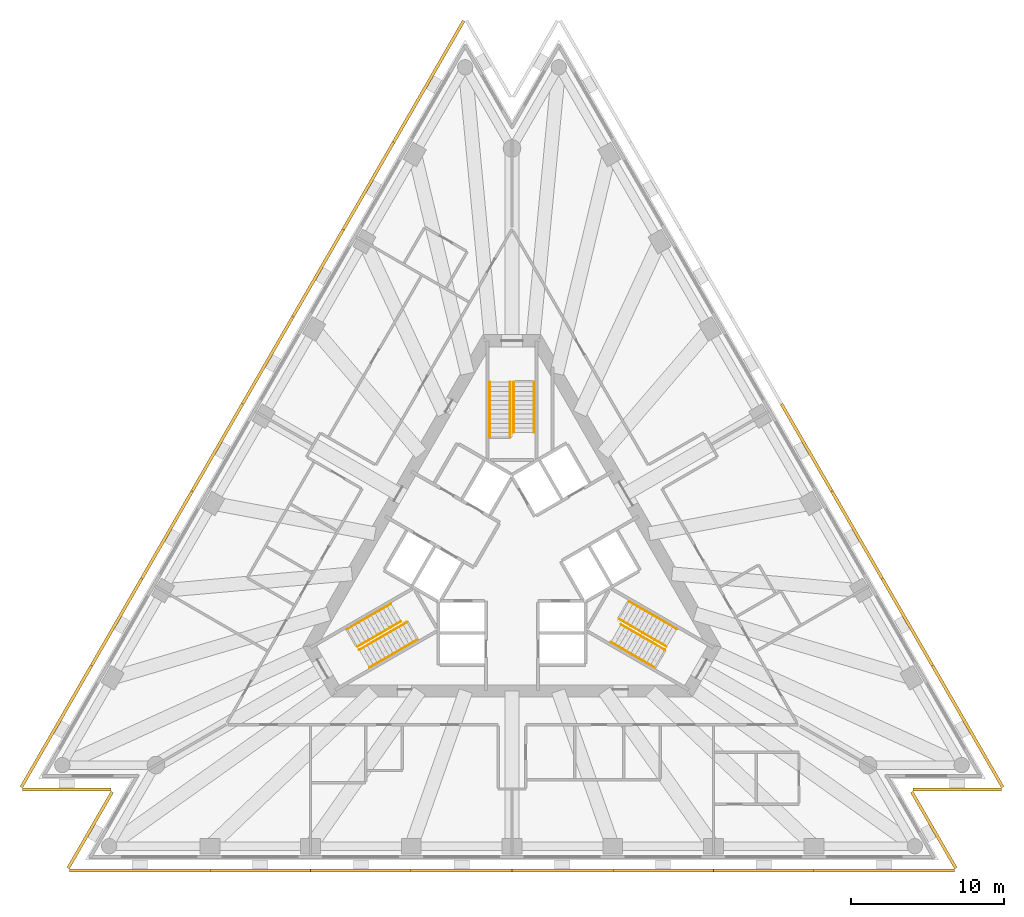
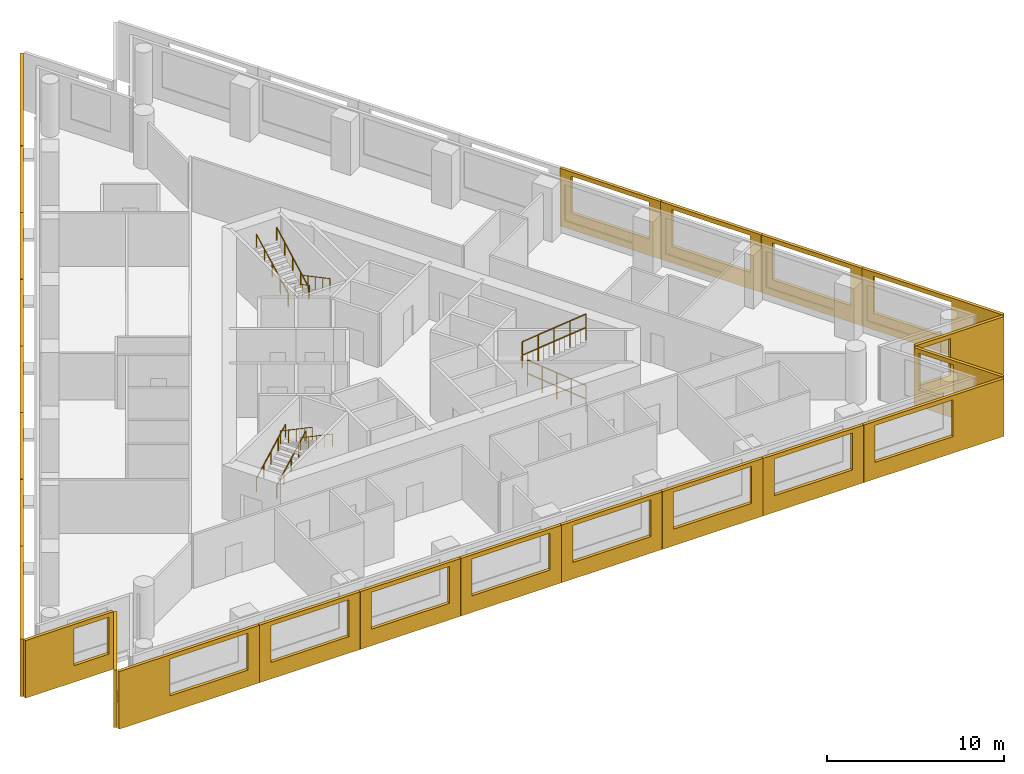
# One storey, part 9 of 10: 24 shading devices, 12 railings, 3 elements without a shape of their own.
"""IFC4 building model written with IfcOpenShell, lengths in metres."""

import ifcopenshell
import ifcopenshell.guid

model = None  # the IFC model being written
_history = None  # IfcOwnerHistory: only IFC2X3 demands one
_inside = {}  # id of a spatial element -> (the spatial element, [elements in it])
_under = {}  # id of a project, library or spatial element -> (it, [spatial elements below it])
_declared = {}  # id of a project -> (the project, [libraries it declares])
_typed = {}  # id of a type object -> (the type object, [elements of that type])
_made_of = {}  # id of a material, layer set ... -> (it, [elements and type objects made of it])


def new_model(schema):
    """Start an empty IFC model of exactly this schema.

    Asked for "IFC4X3", IfcOpenShell would pick the latest addendum, in which some entities
    have other attributes; the version numbers below select the first issue.
    IFC2X3 requires an IfcOwnerHistory on every rooted entity: one is made here for all.
    """
    global model, _history
    if schema == "IFC4X3":
        model = ifcopenshell.file(schema_version=(4, 3, 0, 0))
    else:
        model = ifcopenshell.file(schema=schema)
    _inside.clear()
    _under.clear()
    _declared.clear()
    _typed.clear()
    _made_of.clear()
    _history = None
    if model.schema == "IFC2X3":
        org = make("IfcOrganization", Name="unknown")
        user = make(
            "IfcPersonAndOrganization",
            ThePerson=make("IfcPerson", FamilyName="unknown"),
            TheOrganization=org,
        )
        app = make(
            "IfcApplication",
            ApplicationDeveloper=org,
            Version="unknown",
            ApplicationFullName="unknown",
            ApplicationIdentifier="unknown",
        )
        _history = make(
            "IfcOwnerHistory",
            OwningUser=user,
            OwningApplication=app,
            ChangeAction="ADDED",
            CreationDate=0,
        )
    return model


def make(cls, **values):
    """One entity of the class cls with the attributes given. An attribute that is None is left unset."""
    return model.create_entity(
        cls, **{name: value for name, value in values.items() if value is not None}
    )


def rooted(cls, **values):
    """An entity with a GlobalId (a new one), such as an element, a storey or a relation."""
    return make(cls, GlobalId=ifcopenshell.guid.new(), OwnerHistory=_history, **values)


def si_unit(unit_type, name, prefix=None):
    """IfcSIUnit, for example si_unit("LENGTHUNIT", "METRE", prefix="MILLI")."""
    return make("IfcSIUnit", UnitType=unit_type, Prefix=prefix, Name=name)


def assignment(units):
    """IfcUnitAssignment: the units of a project."""
    return None if units is None else make("IfcUnitAssignment", Units=units)


def point(xyz):
    """IfcCartesianPoint."""
    return None if xyz is None else make("IfcCartesianPoint", Coordinates=xyz)


def direction(xyz):
    """IfcDirection."""
    return None if xyz is None else make("IfcDirection", DirectionRatios=xyz)


def frame(location, z_axis=None, x_axis=None):
    """IfcAxis2Placement3D, a coordinate frame: its origin and axes. An axis left out is left unset."""
    return make(
        "IfcAxis2Placement3D",
        Location=point(location),
        Axis=direction(z_axis),
        RefDirection=direction(x_axis),
    )


def frame_2d(location, x_axis=None):
    """IfcAxis2Placement2D, a coordinate frame in the plane: its origin and x axis."""
    return make(
        "IfcAxis2Placement2D", Location=point(location), RefDirection=direction(x_axis)
    )


def origin():
    """The frame at (0, 0, 0) with its axes left unset."""
    return frame((0.0, 0.0, 0.0))


def origin_2d():
    """The frame at (0, 0) in the plane with its x axis left unset."""
    return frame_2d((0.0, 0.0))


def place(relative_to, where):
    """IfcLocalPlacement: puts the frame where relative to a parent placement (None: the world)."""
    return make(
        "IfcLocalPlacement", PlacementRelTo=relative_to, RelativePlacement=where
    )


def context(
    kind, dimensions, precision=None, world=None, true_north=None, identifier=None
):
    """IfcGeometricRepresentationContext, for example the 3D "Model" context."""
    return make(
        "IfcGeometricRepresentationContext",
        ContextIdentifier=identifier,
        ContextType=kind,
        CoordinateSpaceDimension=dimensions,
        Precision=precision,
        WorldCoordinateSystem=world,
        TrueNorth=true_north,
    )


def subcontext(parent, identifier, kind, view, scale=None):
    """IfcGeometricRepresentationSubContext, for example "Body" below "Model"."""
    return make(
        "IfcGeometricRepresentationSubContext",
        ContextIdentifier=identifier,
        ContextType=kind,
        ParentContext=parent,
        TargetScale=scale,
        TargetView=view,
    )


def project(units=None, contexts=None):
    """IfcProject with its units and contexts."""
    return rooted(
        "IfcProject",
        Name="project",
        RepresentationContexts=contexts,
        UnitsInContext=assignment(units),
    )


def spatial(cls, under=None, at=None, **own):
    """A site, building, storey or space (cls), placed at a placement, below another one or the project."""
    s = rooted(cls, ObjectPlacement=at, **own)
    if under is not None:
        _under.setdefault(under.id(), (under, []))[1].append(s)
    return s


def polyline(points):
    """IfcPolyline through the points."""
    return make("IfcPolyline", Points=[point(p) for p in points])


def profile(cls, at=None, kind="AREA", **sizes):
    """A parametric profile (cls). Its sizes go by their IFC names, for example OverallWidth=200.0."""
    return make(cls, ProfileType=kind, Position=at, **sizes)


def circle(**sizes):
    """IfcCircleProfileDef."""
    return profile("IfcCircleProfileDef", **sizes)


def outline(outer, holes=None, kind="AREA"):
    """IfcArbitraryClosedProfileDef: a profile drawn as a closed curve; with holes, ...WithVoids."""
    if holes is None:
        return make("IfcArbitraryClosedProfileDef", ProfileType=kind, OuterCurve=outer)
    return make(
        "IfcArbitraryProfileDefWithVoids",
        ProfileType=kind,
        OuterCurve=outer,
        InnerCurves=holes,
    )


def extrude(swept, where, along, depth):
    """IfcExtrudedAreaSolid: the profile swept, set in the frame where, extruded along a direction by depth."""
    return make(
        "IfcExtrudedAreaSolid",
        SweptArea=swept,
        Position=where,
        ExtrudedDirection=direction(along),
        Depth=depth,
    )


def shape(context_of_items, identifier, shape_type, items):
    """IfcShapeRepresentation: the items that make up one representation, for example the "Body"."""
    return make(
        "IfcShapeRepresentation",
        ContextOfItems=context_of_items,
        RepresentationIdentifier=identifier,
        RepresentationType=shape_type,
        Items=items,
    )


def material(Name=None, Category=None):
    """IfcMaterial."""
    return make("IfcMaterial", Name=Name, Category=Category)


def layer(
    of_material, thickness, ventilated=None, Name=None, Category=None, Priority=None
):
    """IfcMaterialLayer: one layer of a wall or slab, of a material (None: an air gap)."""
    return make(
        "IfcMaterialLayer",
        Material=of_material,
        LayerThickness=thickness,
        IsVentilated=ventilated,
        Name=Name,
        Category=Category,
        Priority=Priority,
    )


def layer_set(layers, Name=None):
    """IfcMaterialLayerSet."""
    return make("IfcMaterialLayerSet", MaterialLayers=layers, LayerSetName=Name)


def made_of(thing, what):
    """Note that an element or type object is made of a material, layer set ...; save() writes the relation."""
    if what is not None:
        _made_of.setdefault(what.id(), (what, []))[1].append(thing)
    return thing


def type_object(cls, material=None, **own):
    """A type object (cls), such as IfcWallType, which elements share."""
    return made_of(rooted(cls, **own), material)


def element(
    cls,
    number,
    at=None,
    inside=None,
    cuts=None,
    type_object=None,
    material=None,
    context=None,
    identifier="Body",
    shape_type=None,
    held_by="IfcProductDefinitionShape",
    body=None,
    shapes=None,
    **own,
):
    """One element of the class cls, such as IfcWall. Its Tag is "e" and its number.

    at: its placement. inside: the storey or other place that contains it. cuts: it is an
    opening in that element (IfcRelVoidsElement). A single representation is given by context,
    identifier, shape_type and body (its items); several are given by shapes. held_by: the class
    of the entity that holds the representations. save() writes the other relations.
    """
    e = rooted(cls, Tag="e%d" % number, ObjectPlacement=at, **own)
    if body is not None:
        shapes = [shape(context, identifier, shape_type, body)]
    if shapes is not None:
        e.Representation = make(held_by, Representations=shapes)
    if inside is not None:
        _inside.setdefault(inside.id(), (inside, []))[1].append(e)
    if cuts is not None:
        rooted(
            "IfcRelVoidsElement", RelatingBuildingElement=cuts, RelatedOpeningElement=e
        )
    if type_object is not None:
        _typed.setdefault(type_object.id(), (type_object, []))[1].append(e)
    return made_of(e, material)


def aggregate(whole, parts):
    """IfcRelAggregates: a whole, such as a stair, and the parts it consists of."""
    return rooted("IfcRelAggregates", RelatingObject=whole, RelatedObjects=parts)


def save(model, path):
    """Write the relations noted so far, then the file.

    IfcRelAggregates (storeys below a building ...), IfcRelContainedInSpatialStructure (elements
    in a storey), IfcRelDefinesByType, IfcRelAssociatesMaterial and IfcRelDeclares: one each for
    every whole, place, type object, material and project.
    """
    for whole, parts in _under.values():
        aggregate(whole, parts)
    for where, things in _inside.values():
        rooted(
            "IfcRelContainedInSpatialStructure",
            RelatedElements=things,
            RelatingStructure=where,
        )
    for kind, things in _typed.values():
        rooted("IfcRelDefinesByType", RelatedObjects=things, RelatingType=kind)
    for what, things in _made_of.values():
        rooted("IfcRelAssociatesMaterial", RelatedObjects=things, RelatingMaterial=what)
    for by, libraries in _declared.values():
        rooted("IfcRelDeclares", RelatingContext=by, RelatedDefinitions=libraries)
    model.write(path)


model = new_model("IFC4")

# Units and contexts
model_context = context("Model", 3, precision=1e-05, world=origin(), true_north=direction((0.0, 1.0)))
body_context = subcontext(model_context, "Body", "Model", "MODEL_VIEW")
ifc_project = project(units=[si_unit("LENGTHUNIT", "METRE"), si_unit("AREAUNIT", "SQUARE_METRE"), si_unit("VOLUMEUNIT", "CUBIC_METRE"), si_unit("PLANEANGLEUNIT", "RADIAN"), si_unit("MASSUNIT", "GRAM", prefix="KILO")], contexts=[model_context])

# Site, building, storey
site_placement = place(None, origin())
site = spatial("IfcSite", under=ifc_project, at=site_placement, CompositionType="ELEMENT")
building_placement = place(site_placement, origin())
building = spatial("IfcBuilding", under=site, at=building_placement, Name="Triada Interchange Tower", CompositionType="ELEMENT")
storey_placement = place(building_placement, frame((0.0, 0.0, 160.300048828125)))
storey = spatial("IfcBuildingStorey", under=building, at=storey_placement, Name="L37", CompositionType="ELEMENT", Elevation=160.300048828125)

# Shading devices
ifc_material_1 = material(Name="Concrete C50/60 precast", Category="concrete")
ifc_layer_1 = layer(ifc_material_1, 0.02001953125, Name="Exposed aggregate face")
ifc_layer_2 = layer(ifc_material_1, 0.179931640625, Name="Precast concrete screen")
ifc_layer_set = layer_set([ifc_layer_1, ifc_layer_2], Name="Outer skin screen panel 3980")
shading_device_type = type_object("IfcShadingDeviceType", Name="Outer skin screen panel 3980", PredefinedType="SHUTTER", material=ifc_layer_set)
shading_device_1_placement = place(storey_placement, frame((-3.068115234375, 35.178955078125, -0.2900390625), z_axis=(0.0, 0.0, 1.0), x_axis=(-0.499993049377, -0.866029416691, 0.0)))
element("IfcShadingDevice", 1, at=shading_device_1_placement, inside=storey, type_object=shading_device_type, Name="Outer skin screen panel L37 01", PredefinedType="SHUTTER", context=body_context, shape_type="SweptSolid", body=[
    extrude(outline(polyline([(0.0, 0.0), (9.163818359375, 0.0), (9.163818359375, 3.97998046875), (0.0, 3.97998046875), (0.0, 0.0)]), holes=[polyline([(3.33056640625, 1.139892578125), (3.33056640625, 3.68994140625), (8.4306640625, 3.68994140625), (8.4306640625, 1.139892578125), (3.33056640625, 1.139892578125)])]), frame((0.0, 0.0, 0.0), z_axis=(0.0, -1.0, 0.0), x_axis=(1.0, 0.0, 0.0)), (0.0, 0.0, 1.0), 0.199951171875),
])
shading_device_2_placement = place(storey_placement, frame((-7.659912109375, 27.22607421875, -0.2900390625), z_axis=(0.0, 0.0, 1.0), x_axis=(-0.499977771575, -0.866038236991, 0.0)))
element("IfcShadingDevice", 2, at=shading_device_2_placement, inside=storey, type_object=shading_device_type, Name="Outer skin screen panel L37 02", PredefinedType="SHUTTER", context=body_context, shape_type="SweptSolid", body=[
    extrude(outline(polyline([(0.0, 0.0), (6.566650390625, 0.0), (6.566650390625, 3.97998046875), (0.0, 3.97998046875), (0.0, 0.0)]), holes=[polyline([(0.732421875, 1.139892578125), (0.732421875, 3.68994140625), (5.83251953125, 3.68994140625), (5.83251953125, 1.139892578125), (0.732421875, 1.139892578125)])]), frame((0.0, 0.0, 0.0), z_axis=(0.0, -1.0, 0.0), x_axis=(1.0, 0.0, 0.0)), (0.0, 0.0, 1.0), 0.199951171875),
])
shading_device_3_placement = place(storey_placement, frame((-10.952880859375, 21.52197265625, -0.2900390625), z_axis=(0.0, 0.0, 1.0), x_axis=(-0.499977771575, -0.866038236991, 0.0)))
element("IfcShadingDevice", 3, at=shading_device_3_placement, inside=storey, type_object=shading_device_type, Name="Outer skin screen panel L37 03", PredefinedType="SHUTTER", context=body_context, shape_type="SweptSolid", body=[
    extrude(outline(polyline([(0.0, 0.0), (6.566650390625, 0.0), (6.566650390625, 3.97998046875), (0.0, 3.97998046875), (0.0, 0.0)]), holes=[polyline([(0.7333984375, 1.139892578125), (0.7333984375, 3.68994140625), (5.83349609375, 3.68994140625), (5.83349609375, 1.139892578125), (0.7333984375, 1.139892578125)])]), frame((0.0, 0.0, 0.0), z_axis=(0.0, -1.0, 0.0), x_axis=(1.0, 0.0, 0.0)), (0.0, 0.0, 1.0), 0.199951171875),
])
for number, where, z_axis, x_axis, name in (
    (4, (-14.24609375, 15.818115234375, -0.2900390625), (0.0, 0.0, 1.0), (-0.500014285048, -0.866017156151, 0.0), "Outer skin screen panel L37 04"),
    (5, (-17.5390625, 10.114013671875, -0.2900390625), (0.0, 0.0, 1.0), (-0.500014285048, -0.866017156151, 0.0), "Outer skin screen panel L37 05"),
):
    element("IfcShadingDevice", number, at=place(storey_placement, frame(where, z_axis=z_axis, x_axis=x_axis)), inside=storey, type_object=shading_device_type, Name=name, PredefinedType="SHUTTER", context=body_context, shape_type="SweptSolid", body=[
        extrude(outline(polyline([(0.0, 0.0), (6.565673828125, 0.0), (6.565673828125, 3.97998046875), (0.0, 3.97998046875), (0.0, 0.0)]), holes=[polyline([(0.7333984375, 1.139892578125), (0.7333984375, 3.68994140625), (5.83349609375, 3.68994140625), (5.83349609375, 1.139892578125), (0.7333984375, 1.139892578125)])]), frame((0.0, 0.0, 0.0), z_axis=(0.0, -1.0, 0.0), x_axis=(1.0, 0.0, 0.0)), (0.0, 0.0, 1.0), 0.199951171875),
    ])
shading_device_4_placement = place(storey_placement, frame((-20.83203125, 4.410888671875, -0.2900390625), z_axis=(0.0, 0.0, 1.0), x_axis=(-0.499854425527, -0.866109434933, 0.0)))
element("IfcShadingDevice", 6, at=shading_device_4_placement, inside=storey, type_object=shading_device_type, Name="Outer skin screen panel L37 06", PredefinedType="SHUTTER", context=body_context, shape_type="SweptSolid", body=[
    extrude(outline(polyline([(0.0, 0.0), (6.56591796875, 0.0), (6.56591796875, 3.97998046875), (0.0, 3.97998046875), (0.0, 0.0)]), holes=[polyline([(0.7333984375, 1.139892578125), (0.7333984375, 3.68994140625), (5.83349609375, 3.68994140625), (5.83349609375, 1.139892578125), (0.7333984375, 1.139892578125)])]), frame((0.0, 0.0, 0.0), z_axis=(0.0, -1.0, 0.0), x_axis=(1.0, 0.0, 0.0)), (0.0, 0.0, 1.0), 0.199951171875),
])
shading_device_5_placement = place(storey_placement, frame((-24.1240234375, -1.29296875, -0.2900390625), z_axis=(0.0, 0.0, 1.0), x_axis=(-0.499949886023, -0.866054335169, 0.0)))
element("IfcShadingDevice", 7, at=shading_device_5_placement, inside=storey, type_object=shading_device_type, Name="Outer skin screen panel L37 07", PredefinedType="SHUTTER", context=body_context, shape_type="SweptSolid", body=[
    extrude(outline(polyline([(0.0, 0.0), (6.566650390625, 0.0), (6.566650390625, 3.97998046875), (0.0, 3.97998046875), (0.0, 0.0)]), holes=[polyline([(0.7333984375, 1.139892578125), (0.7333984375, 3.68994140625), (5.833251953125, 3.68994140625), (5.833251953125, 1.139892578125), (0.7333984375, 1.139892578125)])]), frame((0.0, 0.0, 0.0), z_axis=(0.0, -1.0, 0.0), x_axis=(1.0, 0.0, 0.0)), (0.0, 0.0, 1.0), 0.199951171875),
])
shading_device_6_placement = place(storey_placement, frame((-27.4169921875, -6.9970703125, -0.2900390625), z_axis=(0.0, 0.0, 1.0), x_axis=(-0.500013030768, -0.866017880336, 0.0)))
element("IfcShadingDevice", 8, at=shading_device_6_placement, inside=storey, type_object=shading_device_type, Name="Outer skin screen panel L37 08", PredefinedType="SHUTTER", context=body_context, shape_type="SweptSolid", body=[
    extrude(outline(polyline([(0.0, 0.0), (9.163818359375, 0.0), (9.163818359375, 3.97998046875), (0.0, 3.97998046875), (0.0, 0.0)]), holes=[polyline([(0.7333984375, 1.139892578125), (0.7333984375, 3.68994140625), (5.833251953125, 3.68994140625), (5.833251953125, 1.139892578125), (0.7333984375, 1.139892578125)])]), frame((0.0, 0.0, 0.0), z_axis=(0.0, -1.0, 0.0), x_axis=(1.0, 0.0, 0.0)), (0.0, 0.0, 1.0), 0.199951171875),
])
shading_device_7_placement = place(storey_placement, frame((-31.993896484375, -14.94189453125, -0.2900390625), z_axis=(0.0, 0.0, 1.0), x_axis=(1.0, 0.0, 0.0)))
element("IfcShadingDevice", 9, at=shading_device_7_placement, inside=storey, type_object=shading_device_type, Name="Outer skin screen panel L37 09", PredefinedType="SHUTTER", context=body_context, shape_type="SweptSolid", body=[
    extrude(outline(polyline([(0.0, 0.0), (5.7578125, 0.0), (5.7578125, 3.97998046875), (0.0, 3.97998046875), (0.0, 0.0)]), holes=[polyline([(3.175048828125, 1.139892578125), (3.175048828125, 3.68994140625), (5.4580078125, 3.68994140625), (5.4580078125, 1.139892578125), (3.175048828125, 1.139892578125)])]), frame((0.0, 0.0, 0.0), z_axis=(0.0, -1.0, 0.0), x_axis=(1.0, 0.0, 0.0)), (0.0, 0.0, 1.0), 0.199951171875),
])
shading_device_8_placement = place(storey_placement, frame((-26.05810546875, -15.2509765625, -0.2900390625), z_axis=(0.0, 0.0, 1.0), x_axis=(-0.500024661345, -0.866011165082, 0.0)))
element("IfcShadingDevice", 10, at=shading_device_8_placement, inside=storey, type_object=shading_device_type, Name="Outer skin screen panel L37 10", PredefinedType="SHUTTER", context=body_context, shape_type="SweptSolid", body=[
    extrude(outline(polyline([(0.0, 0.0), (5.757568359375, 0.0), (5.757568359375, 3.97998046875), (0.0, 3.97998046875), (0.0, 0.0)]), holes=[polyline([(0.300048828125, 1.139892578125), (0.300048828125, 3.68994140625), (2.2578125, 3.68994140625), (2.2578125, 1.139892578125), (0.300048828125, 1.139892578125)])]), frame((0.0, 0.0, 0.0), z_axis=(0.0, -1.0, 0.0), x_axis=(1.0, 0.0, 0.0)), (0.0, 0.0, 1.0), 0.199951171875),
])
shading_device_9_placement = place(storey_placement, frame((-28.931884765625, -20.24609375, -0.2900390625), z_axis=(0.0, 0.0, 1.0), x_axis=(1.0, 0.0, 0.0)))
element("IfcShadingDevice", 11, at=shading_device_9_placement, inside=storey, type_object=shading_device_type, Name="Outer skin screen panel L37 11", PredefinedType="SHUTTER", context=body_context, shape_type="SweptSolid", body=[
    extrude(outline(polyline([(0.0, 0.0), (9.163818359375, 0.0), (9.163818359375, 3.97998046875), (0.0, 3.97998046875), (0.0, 0.0)]), holes=[polyline([(3.3310546875, 1.139892578125), (3.3310546875, 3.68994140625), (8.430908203125, 3.68994140625), (8.430908203125, 1.139892578125), (3.3310546875, 1.139892578125)])]), frame((0.0, 0.0, 0.0), z_axis=(0.0, -1.0, 0.0), x_axis=(1.0, 0.0, 0.0)), (0.0, 0.0, 1.0), 0.199951171875),
])
for number, where, z_axis, x_axis, name in (
    (12, (-19.748046875, -20.24609375, -0.2900390625), (0.0, 0.0, 1.0), (1.0, 0.0, 0.0), "Outer skin screen panel L37 12"),
    (13, (-13.162109375, -20.24609375, -0.2900390625), (0.0, 0.0, 1.0), (1.0, 0.0, 0.0), "Outer skin screen panel L37 13"),
):
    element("IfcShadingDevice", number, at=place(storey_placement, frame(where, z_axis=z_axis, x_axis=x_axis)), inside=storey, type_object=shading_device_type, Name=name, PredefinedType="SHUTTER", context=body_context, shape_type="SweptSolid", body=[
        extrude(outline(polyline([(0.0, 0.0), (6.566162109375, 0.0), (6.566162109375, 3.97998046875), (0.0, 3.97998046875), (0.0, 0.0)]), holes=[polyline([(0.73291015625, 1.139892578125), (0.73291015625, 3.68994140625), (5.8330078125, 3.68994140625), (5.8330078125, 1.139892578125), (0.73291015625, 1.139892578125)])]), frame((0.0, 0.0, 0.0), z_axis=(0.0, -1.0, 0.0), x_axis=(1.0, 0.0, 0.0)), (0.0, 0.0, 1.0), 0.199951171875),
    ])
for number, where, z_axis, x_axis, name in (
    (14, (-6.575927734375, -20.24609375, -0.2900390625), (0.0, 0.0, 1.0), (1.0, 0.0, 0.0), "Outer skin screen panel L37 14"),
    (15, (0.010009765625, -20.24609375, -0.2900390625), (0.0, 0.0, 1.0), (1.0, 0.0, 0.0), "Outer skin screen panel L37 15"),
):
    element("IfcShadingDevice", number, at=place(storey_placement, frame(where, z_axis=z_axis, x_axis=x_axis)), inside=storey, type_object=shading_device_type, Name=name, PredefinedType="SHUTTER", context=body_context, shape_type="SweptSolid", body=[
        extrude(outline(polyline([(0.0, 0.0), (6.56591796875, 0.0), (6.56591796875, 3.97998046875), (0.0, 3.97998046875), (0.0, 0.0)]), holes=[polyline([(0.73291015625, 1.139892578125), (0.73291015625, 3.68994140625), (5.8330078125, 3.68994140625), (5.8330078125, 1.139892578125), (0.73291015625, 1.139892578125)])]), frame((0.0, 0.0, 0.0), z_axis=(0.0, -1.0, 0.0), x_axis=(1.0, 0.0, 0.0)), (0.0, 0.0, 1.0), 0.199951171875),
    ])
for number, where, z_axis, x_axis, name in (
    (16, (6.595947265625, -20.24609375, -0.2900390625), (0.0, 0.0, 1.0), (1.0, 0.0, 0.0), "Outer skin screen panel L37 16"),
    (17, (13.181884765625, -20.24609375, -0.2900390625), (0.0, 0.0, 1.0), (1.0, 0.0, 0.0), "Outer skin screen panel L37 17"),
):
    element("IfcShadingDevice", number, at=place(storey_placement, frame(where, z_axis=z_axis, x_axis=x_axis)), inside=storey, type_object=shading_device_type, Name=name, PredefinedType="SHUTTER", context=body_context, shape_type="SweptSolid", body=[
        extrude(outline(polyline([(0.0, 0.0), (6.566162109375, 0.0), (6.566162109375, 3.97998046875), (0.0, 3.97998046875), (0.0, 0.0)]), holes=[polyline([(0.73291015625, 1.139892578125), (0.73291015625, 3.68994140625), (5.8330078125, 3.68994140625), (5.8330078125, 1.139892578125), (0.73291015625, 1.139892578125)])]), frame((0.0, 0.0, 0.0), z_axis=(0.0, -1.0, 0.0), x_axis=(1.0, 0.0, 0.0)), (0.0, 0.0, 1.0), 0.199951171875),
    ])
shading_device_10_placement = place(storey_placement, frame((19.76806640625, -20.24609375, -0.2900390625), z_axis=(0.0, 0.0, 1.0), x_axis=(1.0, 0.0, 0.0)))
element("IfcShadingDevice", 18, at=shading_device_10_placement, inside=storey, type_object=shading_device_type, Name="Outer skin screen panel L37 18", PredefinedType="SHUTTER", context=body_context, shape_type="SweptSolid", body=[
    extrude(outline(polyline([(0.0, 0.0), (9.163818359375, 0.0), (9.163818359375, 3.97998046875), (0.0, 3.97998046875), (0.0, 0.0)]), holes=[polyline([(0.73291015625, 1.139892578125), (0.73291015625, 3.68994140625), (5.8330078125, 3.68994140625), (5.8330078125, 1.139892578125), (0.73291015625, 1.139892578125)])]), frame((0.0, 0.0, 0.0), z_axis=(0.0, -1.0, 0.0), x_axis=(1.0, 0.0, 0.0)), (0.0, 0.0, 1.0), 0.199951171875),
])
shading_device_11_placement = place(storey_placement, frame((28.93701171875, -20.237060546875, -0.2900390625), z_axis=(0.0, 0.0, 1.0), x_axis=(-0.500024661345, 0.866011165082, 0.0)))
element("IfcShadingDevice", 19, at=shading_device_11_placement, inside=storey, type_object=shading_device_type, Name="Outer skin screen panel L37 19", PredefinedType="SHUTTER", context=body_context, shape_type="SweptSolid", body=[
    extrude(outline(polyline([(0.0, 0.0), (5.757568359375, 0.0), (5.757568359375, 3.97998046875), (0.0, 3.97998046875), (0.0, 0.0)]), holes=[polyline([(3.17529296875, 1.139892578125), (3.17529296875, 3.68994140625), (5.458251953125, 3.68994140625), (5.458251953125, 1.139892578125), (3.17529296875, 1.139892578125)])]), frame((0.0, 0.0, 0.0), z_axis=(0.0, -1.0, 0.0), x_axis=(1.0, 0.0, 0.0)), (0.0, 0.0, 1.0), 0.199951171875),
])
shading_device_12_placement = place(storey_placement, frame((26.236083984375, -14.94189453125, -0.2900390625), z_axis=(0.0, 0.0, 1.0), x_axis=(1.0, 0.0, 0.0)))
element("IfcShadingDevice", 20, at=shading_device_12_placement, inside=storey, type_object=shading_device_type, Name="Outer skin screen panel L37 20", PredefinedType="SHUTTER", context=body_context, shape_type="SweptSolid", body=[
    extrude(outline(polyline([(0.0, 0.0), (5.7578125, 0.0), (5.7578125, 3.97998046875), (0.0, 3.97998046875), (0.0, 0.0)]), holes=[polyline([(0.300048828125, 1.139892578125), (0.300048828125, 3.68994140625), (2.258056640625, 3.68994140625), (2.258056640625, 1.139892578125), (0.300048828125, 1.139892578125)])]), frame((0.0, 0.0, 0.0), z_axis=(0.0, -1.0, 0.0), x_axis=(1.0, 0.0, 0.0)), (0.0, 0.0, 1.0), 0.199951171875),
])
shading_device_13_placement = place(storey_placement, frame((31.9990234375, -14.93310546875, -0.2900390625), z_axis=(0.0, 0.0, 1.0), x_axis=(-0.500013030768, 0.866017880336, 0.0)))
element("IfcShadingDevice", 21, at=shading_device_13_placement, inside=storey, type_object=shading_device_type, Name="Outer skin screen panel L37 21", PredefinedType="SHUTTER", context=body_context, shape_type="SweptSolid", body=[
    extrude(outline(polyline([(0.0, 0.0), (9.163818359375, 0.0), (9.163818359375, 3.97998046875), (0.0, 3.97998046875), (0.0, 0.0)]), holes=[polyline([(3.331298828125, 1.139892578125), (3.331298828125, 3.68994140625), (8.431396484375, 3.68994140625), (8.431396484375, 1.139892578125), (3.331298828125, 1.139892578125)])]), frame((0.0, 0.0, 0.0), z_axis=(0.0, -1.0, 0.0), x_axis=(1.0, 0.0, 0.0)), (0.0, 0.0, 1.0), 0.199951171875),
])
shading_device_14_placement = place(storey_placement, frame((27.406982421875, -6.97998046875, -0.2900390625), z_axis=(0.0, 0.0, 1.0), x_axis=(-0.499949886023, 0.866054335169, 0.0)))
element("IfcShadingDevice", 22, at=shading_device_14_placement, inside=storey, type_object=shading_device_type, Name="Outer skin screen panel L37 22", PredefinedType="SHUTTER", context=body_context, shape_type="SweptSolid", body=[
    extrude(outline(polyline([(0.0, 0.0), (6.566650390625, 0.0), (6.566650390625, 3.97998046875), (0.0, 3.97998046875), (0.0, 0.0)]), holes=[polyline([(0.733154296875, 1.139892578125), (0.733154296875, 3.68994140625), (5.833251953125, 3.68994140625), (5.833251953125, 1.139892578125), (0.733154296875, 1.139892578125)])]), frame((0.0, 0.0, 0.0), z_axis=(0.0, -1.0, 0.0), x_axis=(1.0, 0.0, 0.0)), (0.0, 0.0, 1.0), 0.199951171875),
])
shading_device_15_placement = place(storey_placement, frame((24.114013671875, -1.27587890625, -0.2900390625), z_axis=(0.0, 0.0, 1.0), x_axis=(-0.499854425527, 0.866109434933, 0.0)))
element("IfcShadingDevice", 23, at=shading_device_15_placement, inside=storey, type_object=shading_device_type, Name="Outer skin screen panel L37 23", PredefinedType="SHUTTER", context=body_context, shape_type="SweptSolid", body=[
    extrude(outline(polyline([(0.0, 0.0), (6.56591796875, 0.0), (6.56591796875, 3.97998046875), (0.0, 3.97998046875), (0.0, 0.0)]), holes=[polyline([(0.733154296875, 1.139892578125), (0.733154296875, 3.68994140625), (5.833251953125, 3.68994140625), (5.833251953125, 1.139892578125), (0.733154296875, 1.139892578125)])]), frame((0.0, 0.0, 0.0), z_axis=(0.0, -1.0, 0.0), x_axis=(1.0, 0.0, 0.0)), (0.0, 0.0, 1.0), 0.199951171875),
])
shading_device_16_placement = place(storey_placement, frame((20.822021484375, 4.427978515625, -0.2900390625), z_axis=(0.0, 0.0, 1.0), x_axis=(-0.500014285048, 0.866017156151, 0.0)))
element("IfcShadingDevice", 24, at=shading_device_16_placement, inside=storey, type_object=shading_device_type, Name="Outer skin screen panel L37 24", PredefinedType="SHUTTER", context=body_context, shape_type="SweptSolid", body=[
    extrude(outline(polyline([(0.0, 0.0), (6.565673828125, 0.0), (6.565673828125, 3.97998046875), (0.0, 3.97998046875), (0.0, 0.0)]), holes=[polyline([(0.733154296875, 1.139892578125), (0.733154296875, 3.68994140625), (5.833251953125, 3.68994140625), (5.833251953125, 1.139892578125), (0.733154296875, 1.139892578125)])]), frame((0.0, 0.0, 0.0), z_axis=(0.0, -1.0, 0.0), x_axis=(1.0, 0.0, 0.0)), (0.0, 0.0, 1.0), 0.199951171875),
])

# Stair, railings
ifc_material_2 = material(Name="Concrete C35/45", Category="concrete")
stair_type = type_object("IfcStairType", Name="HALF TURN STAIR 1400", PredefinedType="HALF_TURN_STAIR", material=ifc_material_2)
stair_1_placement = place(storey_placement, origin())
stair_1 = element("IfcStair", 25, at=stair_1_placement, inside=storey, type_object=stair_type, Name="Exit stair S35-1", PredefinedType="HALF_TURN_STAIR")
ifc_material_3 = material(Name="Stainless steel 1.4301", Category="steel")
railing_type = type_object("IfcRailingType", Name="STAIR HANDRAIL 900", PredefinedType="HANDRAIL", material=ifc_material_3)
railing_1_placement = place(storey_placement, frame((1.449951171875, 11.60009765625, 0.159912109375)))
railing_1 = element("IfcRailing", 26, at=railing_1_placement, type_object=railing_type, Name="Handrail S35-1 1W", PredefinedType="HANDRAIL", context=body_context, shape_type="SweptSolid", body=[
    extrude(circle(Radius=0.02392578125, at=origin_2d()), frame((0.0, 0.0, 0.8759765625), z_axis=(0.0, -0.882354748157, 0.47058484719), x_axis=(1.0, 0.0, 0.0)), (0.0, 0.0, 1.0), 3.739990234375),
    extrude(circle(Radius=0.02099609375, at=origin_2d()), origin(), (0.0, 0.0, 1.0), 0.851806640625),
    extrude(circle(Radius=0.02099609375, at=origin_2d()), frame((0.0, -0.824951171875, 0.43994140625)), (0.0, 0.0, 1.0), 0.851806640625),
    extrude(circle(Radius=0.02099609375, at=origin_2d()), frame((0.0, -1.64990234375, 0.8798828125)), (0.0, 0.0, 1.0), 0.851806640625),
    extrude(circle(Radius=0.02099609375, at=origin_2d()), frame((0.0, -2.47509765625, 1.320068359375)), (0.0, 0.0, 1.0), 0.851806640625),
    extrude(circle(Radius=0.02099609375, at=origin_2d()), frame((0.0, -3.300048828125, 1.760009765625)), (0.0, 0.0, 1.0), 0.851806640625),
])
railing_2_placement = place(storey_placement, frame((0.1201171875, 11.60009765625, 0.159912109375)))
railing_2 = element("IfcRailing", 27, at=railing_2_placement, type_object=railing_type, Name="Handrail S35-1 1C", PredefinedType="HANDRAIL", context=body_context, shape_type="SweptSolid", body=[
    extrude(circle(Radius=0.02392578125, at=origin_2d()), frame((0.0, 0.0, 0.8759765625), z_axis=(0.0, -0.882354748157, 0.47058484719), x_axis=(1.0, 0.0, 0.0)), (0.0, 0.0, 1.0), 3.739990234375),
    extrude(circle(Radius=0.02099609375, at=origin_2d()), origin(), (0.0, 0.0, 1.0), 0.851806640625),
    extrude(circle(Radius=0.02099609375, at=origin_2d()), frame((0.0, -0.824951171875, 0.43994140625)), (0.0, 0.0, 1.0), 0.851806640625),
    extrude(circle(Radius=0.02099609375, at=origin_2d()), frame((0.0, -1.64990234375, 0.8798828125)), (0.0, 0.0, 1.0), 0.851806640625),
    extrude(circle(Radius=0.02099609375, at=origin_2d()), frame((0.0, -2.47509765625, 1.320068359375)), (0.0, 0.0, 1.0), 0.851806640625),
    extrude(circle(Radius=0.02099609375, at=origin_2d()), frame((0.0, -3.300048828125, 1.760009765625)), (0.0, 0.0, 1.0), 0.851806640625),
])
railing_3_placement = place(storey_placement, frame((-1.449951171875, 8.0, 2.079833984375)))
railing_3 = element("IfcRailing", 28, at=railing_3_placement, type_object=railing_type, Name="Handrail S35-1 2W", PredefinedType="HANDRAIL", context=body_context, shape_type="SweptSolid", body=[
    extrude(circle(Radius=0.02392578125, at=origin_2d()), frame((0.0, 0.0, 0.8759765625), z_axis=(0.0, 0.882341346394, 0.470609974867), x_axis=(-1.0, 0.0, 0.0)), (0.0, 0.0, 1.0), 4.080078125),
    extrude(circle(Radius=0.02099609375, at=origin_2d()), origin(), (0.0, 0.0, 1.0), 0.851806640625),
    extrude(circle(Radius=0.02099609375, at=origin_2d()), frame((0.0, 0.89990234375, 0.47998046875)), (0.0, 0.0, 1.0), 0.851806640625),
    extrude(circle(Radius=0.02099609375, at=origin_2d()), frame((0.0, 1.800048828125, 0.9599609375)), (0.0, 0.0, 1.0), 0.851806640625),
    extrude(circle(Radius=0.02099609375, at=origin_2d()), frame((0.0, 2.7001953125, 1.440185546875)), (0.0, 0.0, 1.0), 0.851806640625),
    extrude(circle(Radius=0.02099609375, at=origin_2d()), frame((0.0, 3.60009765625, 1.920166015625)), (0.0, 0.0, 1.0), 0.851806640625),
])
railing_4_placement = place(storey_placement, frame((-0.1201171875, 8.0, 2.079833984375)))
railing_4 = element("IfcRailing", 29, at=railing_4_placement, type_object=railing_type, Name="Handrail S35-1 2C", PredefinedType="HANDRAIL", context=body_context, shape_type="SweptSolid", body=[
    extrude(circle(Radius=0.02392578125, at=origin_2d()), frame((0.0, 0.0, 0.8759765625), z_axis=(0.0, 0.882341346394, 0.470609974867), x_axis=(-1.0, 0.0, 0.0)), (0.0, 0.0, 1.0), 4.080078125),
    extrude(circle(Radius=0.02099609375, at=origin_2d()), origin(), (0.0, 0.0, 1.0), 0.851806640625),
    extrude(circle(Radius=0.02099609375, at=origin_2d()), frame((0.0, 0.89990234375, 0.47998046875)), (0.0, 0.0, 1.0), 0.851806640625),
    extrude(circle(Radius=0.02099609375, at=origin_2d()), frame((0.0, 1.800048828125, 0.9599609375)), (0.0, 0.0, 1.0), 0.851806640625),
    extrude(circle(Radius=0.02099609375, at=origin_2d()), frame((0.0, 2.7001953125, 1.440185546875)), (0.0, 0.0, 1.0), 0.851806640625),
    extrude(circle(Radius=0.02099609375, at=origin_2d()), frame((0.0, 3.60009765625, 1.920166015625)), (0.0, 0.0, 1.0), 0.851806640625),
])
aggregate(stair_1, [railing_1, railing_2, railing_3, railing_4])

stair_2_placement = place(storey_placement, origin())
stair_2 = element("IfcStair", 30, at=stair_2_placement, inside=storey, type_object=stair_type, Name="Exit stair S35-2", PredefinedType="HALF_TURN_STAIR")
railing_5_placement = place(storey_placement, frame((-10.77099609375, -4.5439453125, 0.159912109375)))
railing_5 = element("IfcRailing", 31, at=railing_5_placement, type_object=railing_type, Name="Handrail S35-2 1W", PredefinedType="HANDRAIL", context=body_context, shape_type="SweptSolid", body=[
    extrude(circle(Radius=0.02392578125, at=origin_2d()), frame((0.0, 0.0, 0.8759765625), z_axis=(0.764150854273, 0.441152526326, 0.470593158077), x_axis=(-0.499974350878, 0.866040211805, 0.0)), (0.0, 0.0, 1.0), 3.739990234375),
    extrude(circle(Radius=0.02099609375, at=origin_2d()), origin(), (0.0, 0.0, 1.0), 0.851806640625),
    extrude(circle(Radius=0.02099609375, at=origin_2d()), frame((0.71435546875, 0.41259765625, 0.43994140625)), (0.0, 0.0, 1.0), 0.851806640625),
    extrude(circle(Radius=0.02099609375, at=origin_2d()), frame((1.428955078125, 0.824951171875, 0.8798828125)), (0.0, 0.0, 1.0), 0.851806640625),
    extrude(circle(Radius=0.02099609375, at=origin_2d()), frame((2.1435546875, 1.2373046875, 1.320068359375)), (0.0, 0.0, 1.0), 0.851806640625),
    extrude(circle(Radius=0.02099609375, at=origin_2d()), frame((2.85791015625, 1.64990234375, 1.760009765625)), (0.0, 0.0, 1.0), 0.851806640625),
])
railing_6_placement = place(storey_placement, frame((-10.10595703125, -5.696044921875, 0.159912109375)))
railing_6 = element("IfcRailing", 32, at=railing_6_placement, type_object=railing_type, Name="Handrail S35-2 1C", PredefinedType="HANDRAIL", context=body_context, shape_type="SweptSolid", body=[
    extrude(circle(Radius=0.02392578125, at=origin_2d()), frame((0.0, 0.0, 0.8759765625), z_axis=(0.76412884773, 0.441205098395, 0.470579605611), x_axis=(-0.50002983664, 0.866008176907, 0.0)), (0.0, 0.0, 1.0), 3.739990234375),
    extrude(circle(Radius=0.02099609375, at=origin_2d()), origin(), (0.0, 0.0, 1.0), 0.851806640625),
    extrude(circle(Radius=0.02099609375, at=origin_2d()), frame((0.71435546875, 0.41259765625, 0.43994140625)), (0.0, 0.0, 1.0), 0.851806640625),
    extrude(circle(Radius=0.02099609375, at=origin_2d()), frame((1.428955078125, 0.8251953125, 0.8798828125)), (0.0, 0.0, 1.0), 0.851806640625),
    extrude(circle(Radius=0.02099609375, at=origin_2d()), frame((2.1435546875, 1.237548828125, 1.320068359375)), (0.0, 0.0, 1.0), 0.851806640625),
    extrude(circle(Radius=0.02099609375, at=origin_2d()), frame((2.85791015625, 1.650146484375, 1.760009765625)), (0.0, 0.0, 1.0), 0.851806640625),
])
railing_7_placement = place(storey_placement, frame((-6.202880859375, -5.256103515625, 2.079833984375)))
railing_7 = element("IfcRailing", 33, at=railing_7_placement, type_object=railing_type, Name="Handrail S35-2 2W", PredefinedType="HANDRAIL", context=body_context, shape_type="SweptSolid", body=[
    extrude(circle(Radius=0.02392578125, at=origin_2d()), frame((0.0, 0.0, 0.8759765625), z_axis=(-0.764189758314, -0.441090424232, 0.470588196769), x_axis=(0.499902469156, -0.866081705922, 0.0)), (0.0, 0.0, 1.0), 4.080322265625),
    extrude(circle(Radius=0.02099609375, at=origin_2d()), origin(), (0.0, 0.0, 1.0), 0.851806640625),
    extrude(circle(Radius=0.02099609375, at=origin_2d()), frame((-0.779541015625, -0.449951171875, 0.47998046875)), (0.0, 0.0, 1.0), 0.851806640625),
    extrude(circle(Radius=0.02099609375, at=origin_2d()), frame((-1.55908203125, -0.89990234375, 0.9599609375)), (0.0, 0.0, 1.0), 0.851806640625),
    extrude(circle(Radius=0.02099609375, at=origin_2d()), frame((-2.338623046875, -1.349853515625, 1.440185546875)), (0.0, 0.0, 1.0), 0.851806640625),
    extrude(circle(Radius=0.02099609375, at=origin_2d()), frame((-3.1181640625, -1.7998046875, 1.920166015625)), (0.0, 0.0, 1.0), 0.851806640625),
])
railing_8_placement = place(storey_placement, frame((-6.867919921875, -4.10400390625, 2.079833984375)))
railing_8 = element("IfcRailing", 34, at=railing_8_placement, type_object=railing_type, Name="Handrail S35-2 2C", PredefinedType="HANDRAIL", context=body_context, shape_type="SweptSolid", body=[
    extrude(circle(Radius=0.02392578125, at=origin_2d()), frame((0.0, 0.0, 0.8759765625), z_axis=(-0.764169589359, -0.441138614339, 0.470575776723), x_axis=(0.49995333141, -0.866052346231, 0.0)), (0.0, 0.0, 1.0), 4.08056640625),
    extrude(circle(Radius=0.02099609375, at=origin_2d()), origin(), (0.0, 0.0, 1.0), 0.851806640625),
    extrude(circle(Radius=0.02099609375, at=origin_2d()), frame((-0.779541015625, -0.449951171875, 0.47998046875)), (0.0, 0.0, 1.0), 0.851806640625),
    extrude(circle(Radius=0.02099609375, at=origin_2d()), frame((-1.55908203125, -0.89990234375, 0.9599609375)), (0.0, 0.0, 1.0), 0.851806640625),
    extrude(circle(Radius=0.02099609375, at=origin_2d()), frame((-2.338623046875, -1.35009765625, 1.440185546875)), (0.0, 0.0, 1.0), 0.851806640625),
    extrude(circle(Radius=0.02099609375, at=origin_2d()), frame((-3.1181640625, -1.800048828125, 1.920166015625)), (0.0, 0.0, 1.0), 0.851806640625),
])
aggregate(stair_2, [railing_5, railing_6, railing_7, railing_8])

stair_3_placement = place(storey_placement, origin())
stair_3 = element("IfcStair", 35, at=stair_3_placement, inside=storey, type_object=stair_type, Name="Exit stair S35-3", PredefinedType="HALF_TURN_STAIR")
railing_9_placement = place(storey_placement, frame((9.321044921875, -7.055908203125, 0.159912109375)))
railing_9 = element("IfcRailing", 36, at=railing_9_placement, type_object=railing_type, Name="Handrail S35-3 1W", PredefinedType="HANDRAIL", context=body_context, shape_type="SweptSolid", body=[
    extrude(circle(Radius=0.02392578125, at=origin_2d()), frame((0.0, 0.0, 0.8759765625), z_axis=(-0.764178012919, 0.441130521168, 0.470569684388), x_axis=(-0.499942318283, -0.866058703778, 0.0)), (0.0, 0.0, 1.0), 3.740234375),
    extrude(circle(Radius=0.02099609375, at=origin_2d()), origin(), (0.0, 0.0, 1.0), 0.851806640625),
    extrude(circle(Radius=0.02099609375, at=origin_2d()), frame((-0.714599609375, 0.41259765625, 0.43994140625)), (0.0, 0.0, 1.0), 0.851806640625),
    extrude(circle(Radius=0.02099609375, at=origin_2d()), frame((-1.42919921875, 0.824951171875, 0.8798828125)), (0.0, 0.0, 1.0), 0.851806640625),
    extrude(circle(Radius=0.02099609375, at=origin_2d()), frame((-2.1435546875, 1.2373046875, 1.320068359375)), (0.0, 0.0, 1.0), 0.851806640625),
    extrude(circle(Radius=0.02099609375, at=origin_2d()), frame((-2.858154296875, 1.64990234375, 1.760009765625)), (0.0, 0.0, 1.0), 0.851806640625),
])
railing_10_placement = place(storey_placement, frame((9.986083984375, -5.904052734375, 0.159912109375)))
railing_10 = element("IfcRailing", 37, at=railing_10_placement, type_object=railing_type, Name="Handrail S35-3 1C", PredefinedType="HANDRAIL", context=body_context, shape_type="SweptSolid", body=[
    extrude(circle(Radius=0.02392578125, at=origin_2d()), frame((0.0, 0.0, 0.8759765625), z_axis=(-0.764156007789, 0.441183091881, 0.47055613395), x_axis=(-0.49999780286, -0.8660266723, 0.0)), (0.0, 0.0, 1.0), 3.740234375),
    extrude(circle(Radius=0.02099609375, at=origin_2d()), origin(), (0.0, 0.0, 1.0), 0.851806640625),
    extrude(circle(Radius=0.02099609375, at=origin_2d()), frame((-0.714599609375, 0.41259765625, 0.43994140625)), (0.0, 0.0, 1.0), 0.851806640625),
    extrude(circle(Radius=0.02099609375, at=origin_2d()), frame((-1.42919921875, 0.8251953125, 0.8798828125)), (0.0, 0.0, 1.0), 0.851806640625),
    extrude(circle(Radius=0.02099609375, at=origin_2d()), frame((-2.1435546875, 1.237548828125, 1.320068359375)), (0.0, 0.0, 1.0), 0.851806640625),
    extrude(circle(Radius=0.02099609375, at=origin_2d()), frame((-2.858154296875, 1.650146484375, 1.760009765625)), (0.0, 0.0, 1.0), 0.851806640625),
])
railing_11_placement = place(storey_placement, frame((7.653076171875, -2.743896484375, 2.079833984375)))
railing_11 = element("IfcRailing", 38, at=railing_11_placement, type_object=railing_type, Name="Handrail S35-3 2W", PredefinedType="HANDRAIL", context=body_context, shape_type="SweptSolid", body=[
    extrude(circle(Radius=0.02392578125, at=origin_2d()), frame((0.0, 0.0, 0.8759765625), z_axis=(0.76414469501, -0.441158784458, 0.470597292793), x_axis=(0.499982693035, 0.866035395735, 0.0)), (0.0, 0.0, 1.0), 4.080322265625),
    extrude(circle(Radius=0.02099609375, at=origin_2d()), origin(), (0.0, 0.0, 1.0), 0.851806640625),
    extrude(circle(Radius=0.02099609375, at=origin_2d()), frame((0.779541015625, -0.449951171875, 0.47998046875)), (0.0, 0.0, 1.0), 0.851806640625),
    extrude(circle(Radius=0.02099609375, at=origin_2d()), frame((1.55908203125, -0.89990234375, 0.9599609375)), (0.0, 0.0, 1.0), 0.851806640625),
    extrude(circle(Radius=0.02099609375, at=origin_2d()), frame((2.33837890625, -1.35009765625, 1.440185546875)), (0.0, 0.0, 1.0), 0.851806640625),
    extrude(circle(Radius=0.02099609375, at=origin_2d()), frame((3.117919921875, -1.800048828125, 1.920166015625)), (0.0, 0.0, 1.0), 0.851806640625),
])
railing_12_placement = place(storey_placement, frame((6.988037109375, -3.89599609375, 2.079833984375)))
railing_12 = element("IfcRailing", 39, at=railing_12_placement, type_object=railing_type, Name="Handrail S35-3 2C", PredefinedType="HANDRAIL", context=body_context, shape_type="SweptSolid", body=[
    extrude(circle(Radius=0.02392578125, at=origin_2d()), frame((0.0, 0.0, 0.8759765625), z_axis=(0.76414469501, -0.441158784458, 0.470597292793), x_axis=(0.499982693035, 0.866035395735, 0.0)), (0.0, 0.0, 1.0), 4.080322265625),
    extrude(circle(Radius=0.02099609375, at=origin_2d()), origin(), (0.0, 0.0, 1.0), 0.851806640625),
    extrude(circle(Radius=0.02099609375, at=origin_2d()), frame((0.779541015625, -0.449951171875, 0.47998046875)), (0.0, 0.0, 1.0), 0.851806640625),
    extrude(circle(Radius=0.02099609375, at=origin_2d()), frame((1.55908203125, -0.89990234375, 0.9599609375)), (0.0, 0.0, 1.0), 0.851806640625),
    extrude(circle(Radius=0.02099609375, at=origin_2d()), frame((2.33837890625, -1.35009765625, 1.440185546875)), (0.0, 0.0, 1.0), 0.851806640625),
    extrude(circle(Radius=0.02099609375, at=origin_2d()), frame((3.117919921875, -1.800048828125, 1.920166015625)), (0.0, 0.0, 1.0), 0.851806640625),
])
aggregate(stair_3, [railing_9, railing_10, railing_11, railing_12])

save(model, "model.ifc")
